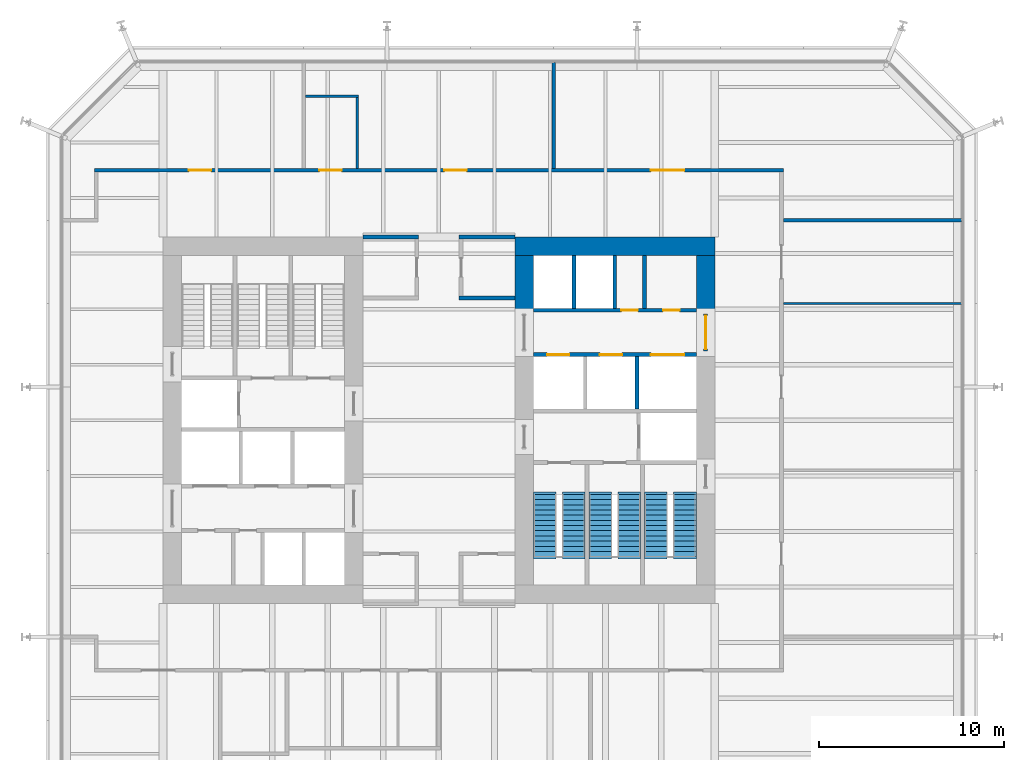
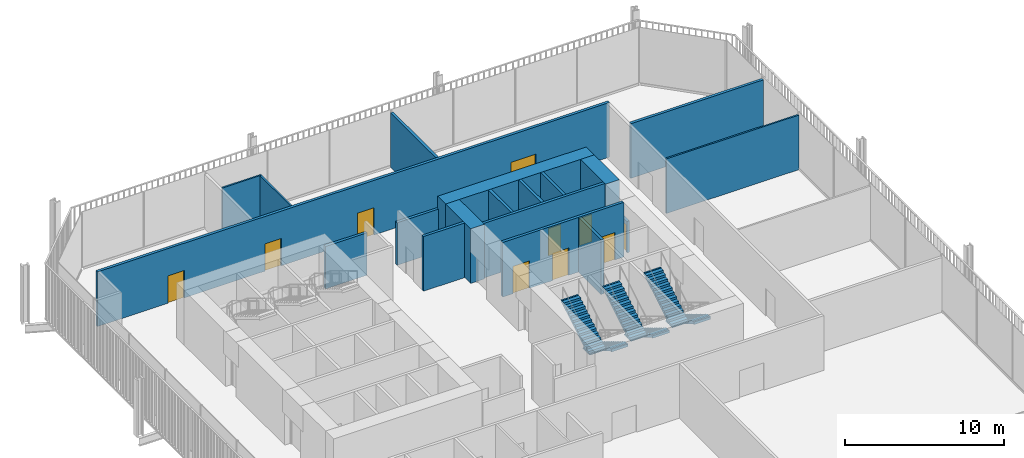
# One storey, part 18 of 20: 19 walls, 10 doors, 6 stair flights, 10 openings, 3 elements without a shape of their own.
"""IFC4 building model written with IfcOpenShell, lengths in metres."""

from ifc_helpers import new_model, si_unit, direction, frame, frame_2d, origin, place, context, subcontext, project, spatial, polyline, rectangle, outline, extrude, material, layer, layer_set, type_object, element, fill, aggregate, save


model = new_model("IFC4")

# Units and contexts
model_context = context("Model", 3, precision=1e-05, world=origin(), true_north=direction((0.0, 1.0)))
body_context = subcontext(model_context, "Body", "Model", "MODEL_VIEW")
ifc_project = project(units=[si_unit("LENGTHUNIT", "METRE"), si_unit("AREAUNIT", "SQUARE_METRE"), si_unit("VOLUMEUNIT", "CUBIC_METRE"), si_unit("PLANEANGLEUNIT", "RADIAN"), si_unit("MASSUNIT", "GRAM", prefix="KILO")], contexts=[model_context])

# Site, building, storey
site_placement = place(None, origin())
site = spatial("IfcSite", under=ifc_project, at=site_placement, CompositionType="ELEMENT")
building_placement = place(site_placement, origin())
building = spatial("IfcBuilding", under=site, at=building_placement, Name="Millrace Tower", CompositionType="ELEMENT")
storey_placement = place(building_placement, frame((0.0, 0.0, 86.39990234375)))
storey = spatial("IfcBuildingStorey", under=building, at=storey_placement, Name="L19", CompositionType="ELEMENT", Elevation=86.39990234375)

# Walls
ifc_material_1 = material(Name="Concrete C80", Category="concrete")
ifc_layer_1 = layer(ifc_material_1, 1.0)
ifc_layer_set_1 = layer_set([ifc_layer_1], Name="Concrete C80")
wall_type_1 = type_object("IfcWallType", Name="Core wall 1000 Concrete C80", PredefinedType="SHEAR", material=ifc_layer_set_1)
wall_1_placement = place(storey_placement, frame((14.89990234375, 9.39990234375, 0.0), z_axis=(0.0, 0.0, 1.0), x_axis=(-1.0, 0.0, 0.0)))
element("IfcWall", 1, at=wall_1_placement, inside=storey, type_object=wall_type_1, Name="Core wall E L19", PredefinedType="SHEAR", context=body_context, shape_type="SweptSolid", body=[
    extrude(rectangle(XDim=10.7998046875, YDim=1.0, at=frame_2d((5.39990234375, 0.0))), origin(), (0.0, 0.0, 1.0), 4.2001953125),
])
for number, where, z_axis, x_axis, name in (
    (2, (14.39990234375, 8.89990234375, 0.0), (0.0, 0.0, 1.0), (0.0, -1.0, 0.0), "Core wall E L19"),
    (3, (4.60009765625, 8.89990234375, 0.0), (0.0, 0.0, 1.0), (0.0, -1.0, 0.0), "Core wall E L19"),
):
    element("IfcWall", number, at=place(storey_placement, frame(where, z_axis=z_axis, x_axis=x_axis)), inside=storey, type_object=wall_type_1, Name=name, PredefinedType="SHEAR", context=body_context, shape_type="SweptSolid", body=[
        extrude(rectangle(XDim=3.14990234375, YDim=1.0, at=frame_2d((1.574951171875, 0.0))), origin(), (0.0, 0.0, 1.0), 4.2001953125),
    ])
ifc_material_2 = material(Name="Masonry partition, fire-rated", Category="masonry")
ifc_layer_2 = layer(ifc_material_2, 0.199951171875)
ifc_layer_set_2 = layer_set([ifc_layer_2], Name="Masonry partition, fire-rated")
wall_type_2 = type_object("IfcWallType", Name="Corridor wall 200", PredefinedType="PARTITIONING", material=ifc_layer_set_2)
wall_2_placement = place(storey_placement, frame((1.10009765625, 6.60009765625, 0.0), z_axis=(0.0, 0.0, 1.0), x_axis=(1.0, 0.0, 0.0)))
element("IfcWall", 4, at=wall_2_placement, inside=storey, type_object=wall_type_2, Name="Corridor wall L19", PredefinedType="PARTITIONING", context=body_context, shape_type="SweptSolid", body=[
    extrude(rectangle(XDim=3.0, YDim=0.199951171875, at=frame_2d((1.5, 0.0))), origin(), (0.0, 0.0, 1.0), 4.2001953125),
])
for number, where, z_axis, x_axis, name in (
    (5, (-4.10009765625, 9.89990234375, 0.0), (0.0, 0.0, 1.0), (1.0, 0.0, 0.0), "Corridor wall L19"),
    (6, (1.10009765625, 9.89990234375, 0.0), (0.0, 0.0, 1.0), (1.0, 0.0, 0.0), "Corridor wall L19"),
):
    element("IfcWall", number, at=place(storey_placement, frame(where, z_axis=z_axis, x_axis=x_axis)), inside=storey, type_object=wall_type_2, Name=name, PredefinedType="PARTITIONING", context=body_context, shape_type="SweptSolid", body=[
        extrude(rectangle(XDim=3.0, YDim=0.199951171875, at=frame_2d((1.5, 0.0))), origin(), (0.0, 0.0, 1.0), 3.2626953125),
    ])
wall_3_placement = place(storey_placement, frame((18.60009765625, 10.800048828125, 0.0), z_axis=(0.0, 0.0, 1.0), x_axis=(1.0, 0.0, 0.0)))
element("IfcWall", 7, at=wall_3_placement, inside=storey, type_object=wall_type_2, Name="Corridor wall L19", PredefinedType="PARTITIONING", context=body_context, shape_type="SweptSolid", body=[
    extrude(rectangle(XDim=9.6298828125, YDim=0.199951171875, at=frame_2d((4.81494140625, 0.0))), origin(), (0.0, 0.0, 1.0), 4.2001953125),
])

# Wall, openings, doors
wall_4_placement = place(storey_placement, frame((-18.60009765625, 13.5, 0.0), z_axis=(0.0, 0.0, 1.0), x_axis=(1.0, 0.0, 0.0)))
wall_4 = element("IfcWall", 8, at=wall_4_placement, inside=storey, type_object=wall_type_2, Name="Corridor wall L19", PredefinedType="PARTITIONING", context=body_context, shape_type="SweptSolid", body=[
    extrude(rectangle(XDim=37.2001953125, YDim=0.199951171875, at=frame_2d((18.60009765625, 0.0))), origin(), (0.0, 0.0, 1.0), 4.2001953125),
])
opening_1_placement = place(wall_4_placement, frame((5.10009765625, 0.0, 0.0)))
opening_1 = element("IfcOpeningElement", 9, at=opening_1_placement, cuts=wall_4, Name="Opening 19-P009", PredefinedType="OPENING", context=body_context, shape_type="SweptSolid", body=[
    extrude(rectangle(XDim=1.199951171875, YDim=2.10009765625, at=frame_2d((0.60009765625, 1.050048828125))), frame((0.0, 0.10986328125, 0.0), z_axis=(0.0, -1.0, 0.0), x_axis=(1.0, 0.0, 0.0)), (0.0, 0.0, 1.0), 0.219970703125),
])
opening_2_placement = place(wall_4_placement, frame((18.89990234375, 0.0, 0.0)))
opening_2 = element("IfcOpeningElement", 10, at=opening_2_placement, cuts=wall_4, Name="Opening 19-P010", PredefinedType="OPENING", context=body_context, shape_type="SweptSolid", body=[
    extrude(rectangle(XDim=1.199951171875, YDim=2.10009765625, at=frame_2d((0.60009765625, 1.050048828125))), frame((0.0, 0.10986328125, 0.0), z_axis=(0.0, -1.0, 0.0), x_axis=(1.0, 0.0, 0.0)), (0.0, 0.0, 1.0), 0.219970703125),
])
opening_3_placement = place(wall_4_placement, frame((12.14990234375, 0.0, 0.0)))
opening_3 = element("IfcOpeningElement", 11, at=opening_3_placement, cuts=wall_4, Name="Opening 19-P011", PredefinedType="OPENING", context=body_context, shape_type="SweptSolid", body=[
    extrude(rectangle(XDim=1.199951171875, YDim=2.10009765625, at=frame_2d((0.60009765625, 1.050048828125))), frame((0.0, 0.10986328125, 0.0), z_axis=(0.0, -1.0, 0.0), x_axis=(1.0, 0.0, 0.0)), (0.0, 0.0, 1.0), 0.219970703125),
])
opening_4_placement = place(wall_4_placement, frame((30.050048828125, 0.0, 0.0)))
opening_4 = element("IfcOpeningElement", 12, at=opening_4_placement, cuts=wall_4, Name="Opening 19-P012", PredefinedType="OPENING", context=body_context, shape_type="SweptSolid", body=[
    extrude(rectangle(XDim=1.800048828125, YDim=2.10009765625, at=frame_2d((0.89990234375, 1.050048828125))), frame((0.0, 0.10986328125, 0.0), z_axis=(0.0, -1.0, 0.0), x_axis=(1.0, 0.0, 0.0)), (0.0, 0.0, 1.0), 0.219970703125),
])
ifc_material_3 = material(Name="Steel door set, fire-rated", Category="steel")
door_type_1 = type_object("IfcDoorType", Name="Corridor door 1200 x 2100", OperationType="SINGLE_SWING_LEFT", PredefinedType="DOOR", material=ifc_material_3)
door_1_placement = place(opening_2_placement, origin())
door_1 = element("IfcDoor", 13, at=door_1_placement, inside=storey, type_object=door_type_1, Name="Door 19-P010", OperationType="SINGLE_SWING_RIGHT", OverallHeight=2.10009765625, OverallWidth=1.199951171875, PredefinedType="DOOR", context=body_context, shape_type="SweptSolid", body=[
    extrude(rectangle(XDim=1.199951171875, YDim=2.10009765625, at=frame_2d((0.60009765625, 1.050048828125))), frame((0.0, 0.02490234375, 0.0), z_axis=(0.0, -1.0, 0.0), x_axis=(1.0, 0.0, 0.0)), (0.0, 0.0, 1.0), 0.050048828125),
])
fill(opening_2, door_1)
door_2_placement = place(opening_3_placement, origin())
door_2 = element("IfcDoor", 14, at=door_2_placement, inside=storey, type_object=door_type_1, Name="Door 19-P011", OperationType="SINGLE_SWING_LEFT", OverallHeight=2.10009765625, OverallWidth=1.199951171875, PredefinedType="DOOR", context=body_context, shape_type="SweptSolid", body=[
    extrude(rectangle(XDim=1.199951171875, YDim=2.10009765625, at=frame_2d((0.60009765625, 1.050048828125))), frame((0.0, 0.02490234375, 0.0), z_axis=(0.0, -1.0, 0.0), x_axis=(1.0, 0.0, 0.0)), (0.0, 0.0, 1.0), 0.050048828125),
])
fill(opening_3, door_2)
ifc_material_4 = material(Name="Steel door set, fire-rated", Category="steel")
door_type_2 = type_object("IfcDoorType", Name="Data hall door 1200 x 2100", OperationType="SINGLE_SWING_LEFT", PredefinedType="DOOR", material=ifc_material_4)
door_3_placement = place(opening_1_placement, origin())
door_3 = element("IfcDoor", 15, at=door_3_placement, inside=storey, type_object=door_type_2, Name="Door 19-P009", OperationType="SINGLE_SWING_LEFT", OverallHeight=2.10009765625, OverallWidth=1.199951171875, PredefinedType="DOOR", context=body_context, shape_type="SweptSolid", body=[
    extrude(rectangle(XDim=1.199951171875, YDim=2.10009765625, at=frame_2d((0.60009765625, 1.050048828125))), frame((0.0, 0.02490234375, 0.0), z_axis=(0.0, -1.0, 0.0), x_axis=(1.0, 0.0, 0.0)), (0.0, 0.0, 1.0), 0.050048828125),
])
fill(opening_1, door_3)
ifc_material_5 = material(Name="Steel door set, fire-rated", Category="steel")
door_type_3 = type_object("IfcDoorType", Name="Data hall door 1800 x 2100", OperationType="DOUBLE_DOOR_SINGLE_SWING", PredefinedType="DOOR", material=ifc_material_5)
door_4_placement = place(opening_4_placement, origin())
door_4 = element("IfcDoor", 16, at=door_4_placement, inside=storey, type_object=door_type_3, Name="Door 19-P012", OperationType="DOUBLE_DOOR_SINGLE_SWING", OverallHeight=2.10009765625, OverallWidth=1.800048828125, PredefinedType="DOOR", context=body_context, shape_type="SweptSolid", body=[
    extrude(rectangle(XDim=1.800048828125, YDim=2.10009765625, at=frame_2d((0.89990234375, 1.050048828125))), frame((0.0, 0.02490234375, 0.0), z_axis=(0.0, -1.0, 0.0), x_axis=(1.0, 0.0, 0.0)), (0.0, 0.0, 1.0), 0.050048828125),
])
fill(opening_4, door_4)

# Wall
wall_5_placement = place(storey_placement, frame((6.199951171875, 13.60009765625, 0.0), z_axis=(0.0, 0.0, 1.0), x_axis=(0.0, 1.0, 0.0)))
element("IfcWall", 17, at=wall_5_placement, inside=storey, type_object=wall_type_2, Name="Corridor wall L19", PredefinedType="PARTITIONING", context=body_context, shape_type="SweptSolid", body=[
    extrude(rectangle(XDim=5.72998046875, YDim=0.199951171875, at=frame_2d((2.864990234375, 0.0))), origin(), (0.0, 0.0, 1.0), 4.2001953125),
])

# Wall, openings, doors
ifc_material_6 = material(Name="Masonry partition, fire-rated", Category="masonry")
ifc_layer_3 = layer(ifc_material_6, 0.199951171875)
ifc_layer_set_3 = layer_set([ifc_layer_3], Name="Masonry partition, fire-rated")
wall_type_3 = type_object("IfcWallType", Name="Lift shaft wall 200", PredefinedType="PARTITIONING", material=ifc_layer_set_3)
wall_6_placement = place(storey_placement, frame((13.89990234375, 5.949951171875, 0.0), z_axis=(0.0, 0.0, 1.0), x_axis=(-1.0, 0.0, 0.0)))
wall_6 = element("IfcWall", 18, at=wall_6_placement, inside=storey, type_object=wall_type_3, Name="Lift shaft wall E L19", PredefinedType="PARTITIONING", context=body_context, shape_type="SweptSolid", body=[
    extrude(rectangle(XDim=8.7998046875, YDim=0.199951171875, at=frame_2d((4.39990234375, 0.0))), origin(), (0.0, 0.0, 1.0), 4.2001953125),
])
opening_5_placement = place(wall_6_placement, frame((0.8974609375, 0.0, 0.0)))
opening_5 = element("IfcOpeningElement", 19, at=opening_5_placement, cuts=wall_6, Name="Opening 19-C013", PredefinedType="OPENING", context=body_context, shape_type="SweptSolid", body=[
    extrude(rectangle(XDim=0.89990234375, YDim=2.10009765625, at=frame_2d((0.449951171875, 1.050048828125))), frame((0.0, 0.10986328125, 0.0), z_axis=(0.0, -1.0, 0.0), x_axis=(1.0, 0.0, 0.0)), (0.0, 0.0, 1.0), 0.219970703125),
])
opening_6_placement = place(wall_6_placement, frame((3.1474609375, 0.0, 0.0)))
opening_6 = element("IfcOpeningElement", 20, at=opening_6_placement, cuts=wall_6, Name="Opening 19-C014", PredefinedType="OPENING", context=body_context, shape_type="SweptSolid", body=[
    extrude(rectangle(XDim=0.89990234375, YDim=2.10009765625, at=frame_2d((0.449951171875, 1.050048828125))), frame((0.0, 0.10986328125, 0.0), z_axis=(0.0, -1.0, 0.0), x_axis=(1.0, 0.0, 0.0)), (0.0, 0.0, 1.0), 0.219970703125),
])
ifc_material_7 = material(Name="Steel door, fire-rated", Category="steel")
door_type_4 = type_object("IfcDoorType", Name="Service room door 900 x 2100", OperationType="SINGLE_SWING_LEFT", PredefinedType="DOOR", material=ifc_material_7)
door_5_placement = place(opening_5_placement, frame((0.89990234375, 0.0, 0.0), z_axis=(0.0, 0.0, 1.0), x_axis=(-1.0, 0.0, 0.0)))
door_5 = element("IfcDoor", 21, at=door_5_placement, inside=storey, type_object=door_type_4, Name="Service room door 19-C013", OperationType="SINGLE_SWING_RIGHT", OverallHeight=2.10009765625, OverallWidth=0.89990234375, PredefinedType="DOOR", context=body_context, shape_type="SweptSolid", body=[
    extrude(rectangle(XDim=0.89990234375, YDim=2.10009765625, at=frame_2d((0.449951171875, 1.050048828125))), frame((0.0, 0.02490234375, 0.0), z_axis=(0.0, -1.0, 0.0), x_axis=(1.0, 0.0, 0.0)), (0.0, 0.0, 1.0), 0.050048828125),
])
fill(opening_5, door_5)
door_6_placement = place(opening_6_placement, frame((0.89990234375, 0.0, 0.0), z_axis=(0.0, 0.0, 1.0), x_axis=(-1.0, 0.0, 0.0)))
door_6 = element("IfcDoor", 22, at=door_6_placement, inside=storey, type_object=door_type_4, Name="Service room door 19-C014", OperationType="SINGLE_SWING_RIGHT", OverallHeight=2.10009765625, OverallWidth=0.89990234375, PredefinedType="DOOR", context=body_context, shape_type="SweptSolid", body=[
    extrude(rectangle(XDim=0.89990234375, YDim=2.10009765625, at=frame_2d((0.449951171875, 1.050048828125))), frame((0.0, 0.02490234375, 0.0), z_axis=(0.0, -1.0, 0.0), x_axis=(1.0, 0.0, 0.0)), (0.0, 0.0, 1.0), 0.050048828125),
])
fill(opening_6, door_6)

wall_7_placement = place(storey_placement, frame((13.89990234375, 3.550048828125, 0.0), z_axis=(0.0, 0.0, 1.0), x_axis=(-1.0, 0.0, 0.0)))
wall_7 = element("IfcWall", 23, at=wall_7_placement, inside=storey, type_object=wall_type_3, Name="Lift shaft wall E L19", PredefinedType="PARTITIONING", context=body_context, shape_type="SweptSolid", body=[
    extrude(rectangle(XDim=8.7998046875, YDim=0.199951171875, at=frame_2d((4.39990234375, 0.0))), origin(), (0.0, 0.0, 1.0), 4.2001953125),
])
opening_7_placement = place(wall_7_placement, frame((0.64990234375, 0.0, 0.0)))
opening_7 = element("IfcOpeningElement", 24, at=opening_7_placement, cuts=wall_7, Name="Opening 19-LD13", PredefinedType="OPENING", context=body_context, shape_type="SweptSolid", body=[
    extrude(rectangle(XDim=1.800048828125, YDim=2.10009765625, at=frame_2d((0.89990234375, 1.050048828125))), frame((0.0, 0.10986328125, 0.0), z_axis=(0.0, -1.0, 0.0), x_axis=(1.0, 0.0, 0.0)), (0.0, 0.0, 1.0), 0.219970703125),
])
opening_8_placement = place(wall_7_placement, frame((4.0, 0.0, 0.0)))
opening_8 = element("IfcOpeningElement", 25, at=opening_8_placement, cuts=wall_7, Name="Opening 19-LD14", PredefinedType="OPENING", context=body_context, shape_type="SweptSolid", body=[
    extrude(rectangle(XDim=1.199951171875, YDim=2.10009765625, at=frame_2d((0.60009765625, 1.050048828125))), frame((0.0, 0.10986328125, 0.0), z_axis=(0.0, -1.0, 0.0), x_axis=(1.0, 0.0, 0.0)), (0.0, 0.0, 1.0), 0.219970703125),
])
opening_9_placement = place(wall_7_placement, frame((6.85009765625, 0.0, 0.0)))
opening_9 = element("IfcOpeningElement", 26, at=opening_9_placement, cuts=wall_7, Name="Opening 19-LD15", PredefinedType="OPENING", context=body_context, shape_type="SweptSolid", body=[
    extrude(rectangle(XDim=1.199951171875, YDim=2.10009765625, at=frame_2d((0.60009765625, 1.050048828125))), frame((0.0, 0.10986328125, 0.0), z_axis=(0.0, -1.0, 0.0), x_axis=(1.0, 0.0, 0.0)), (0.0, 0.0, 1.0), 0.219970703125),
])
ifc_material_8 = material(Name="Stainless steel, fire-rated", Category="steel")
door_type_5 = type_object("IfcDoorType", Name="Lift landing door 1200 x 2100", OperationType="DOUBLE_DOOR_SLIDING", PredefinedType="DOOR", material=ifc_material_8)
door_7_placement = place(opening_8_placement, origin())
door_7 = element("IfcDoor", 27, at=door_7_placement, inside=storey, type_object=door_type_5, Name="Lift landing door LF14 L19", OperationType="DOUBLE_DOOR_SLIDING", OverallHeight=2.10009765625, OverallWidth=1.199951171875, PredefinedType="DOOR", context=body_context, shape_type="SweptSolid", body=[
    extrude(rectangle(XDim=1.199951171875, YDim=2.10009765625, at=frame_2d((0.60009765625, 1.050048828125))), frame((0.0, 0.02490234375, 0.0), z_axis=(0.0, -1.0, 0.0), x_axis=(1.0, 0.0, 0.0)), (0.0, 0.0, 1.0), 0.050048828125),
])
fill(opening_8, door_7)
door_8_placement = place(opening_9_placement, origin())
door_8 = element("IfcDoor", 28, at=door_8_placement, inside=storey, type_object=door_type_5, Name="Lift landing door LF15 L19", OperationType="DOUBLE_DOOR_SLIDING", OverallHeight=2.10009765625, OverallWidth=1.199951171875, PredefinedType="DOOR", context=body_context, shape_type="SweptSolid", body=[
    extrude(rectangle(XDim=1.199951171875, YDim=2.10009765625, at=frame_2d((0.60009765625, 1.050048828125))), frame((0.0, 0.02490234375, 0.0), z_axis=(0.0, -1.0, 0.0), x_axis=(1.0, 0.0, 0.0)), (0.0, 0.0, 1.0), 0.050048828125),
])
fill(opening_9, door_8)
ifc_material_9 = material(Name="Stainless steel, fire-rated", Category="steel")
door_type_6 = type_object("IfcDoorType", Name="Lift landing door 1800 x 2100", OperationType="DOUBLE_DOOR_SLIDING", PredefinedType="DOOR", material=ifc_material_9)
door_9_placement = place(opening_7_placement, origin())
door_9 = element("IfcDoor", 29, at=door_9_placement, inside=storey, type_object=door_type_6, Name="Lift landing door LF13 L19", OperationType="DOUBLE_DOOR_SLIDING", OverallHeight=2.10009765625, OverallWidth=1.800048828125, PredefinedType="DOOR", context=body_context, shape_type="SweptSolid", body=[
    extrude(rectangle(XDim=1.800048828125, YDim=2.10009765625, at=frame_2d((0.89990234375, 1.050048828125))), frame((0.0, 0.02490234375, 0.0), z_axis=(0.0, -1.0, 0.0), x_axis=(1.0, 0.0, 0.0)), (0.0, 0.0, 1.0), 0.050048828125),
])
fill(opening_7, door_9)

# Walls
for number, where, z_axis, x_axis, name in (
    (30, (9.5, 8.89990234375, 0.0), (0.0, 0.0, 1.0), (0.0, -1.0, 0.0), "Lift shaft wall E L19"),
    (31, (7.300048828125, 8.89990234375, 0.0), (0.0, 0.0, 1.0), (0.0, -1.0, 0.0), "Lift shaft wall E L19"),
    (32, (10.699951171875, 3.449951171875, 0.0), (0.0, 0.0, 1.0), (0.0, -1.0, 0.0), "Lift shaft wall E L19"),
):
    element("IfcWall", number, at=place(storey_placement, frame(where, z_axis=z_axis, x_axis=x_axis)), inside=storey, type_object=wall_type_3, Name=name, PredefinedType="PARTITIONING", context=body_context, shape_type="SweptSolid", body=[
        extrude(rectangle(XDim=2.849853515625, YDim=0.199951171875, at=frame_2d((1.4248046875, 0.0))), origin(), (0.0, 0.0, 1.0), 4.2001953125),
    ])

# Wall, opening, door
ifc_material_10 = material(Name="Masonry partition, fire-rated", Category="masonry")
ifc_layer_4 = layer(ifc_material_10, 0.199951171875)
ifc_layer_set_4 = layer_set([ifc_layer_4], Name="Masonry partition, fire-rated")
wall_type_4 = type_object("IfcWallType", Name="Lobby wall 200", PredefinedType="PARTITIONING", material=ifc_layer_set_4)
wall_8_placement = place(storey_placement, frame((14.39990234375, 5.75, 0.0), z_axis=(0.0, 0.0, 1.0), x_axis=(0.0, -1.0, 0.0)))
wall_8 = element("IfcWall", 33, at=wall_8_placement, inside=storey, type_object=wall_type_4, Name="Lobby wall E L19", PredefinedType="PARTITIONING", context=body_context, shape_type="SweptSolid", body=[
    extrude(rectangle(XDim=2.0, YDim=0.199951171875, at=frame_2d((1.0, 0.0))), origin(), (0.0, 0.0, 1.0), 2.400146484375),
])
opening_10_placement = place(wall_8_placement, frame((0.10009765625, 0.0, 0.0)))
opening_10 = element("IfcOpeningElement", 34, at=opening_10_placement, cuts=wall_8, Name="Opening 19-C009", PredefinedType="OPENING", context=body_context, shape_type="SweptSolid", body=[
    extrude(rectangle(XDim=1.800048828125, YDim=2.10009765625, at=frame_2d((0.89990234375, 1.050048828125))), frame((0.0, 0.10986328125, 0.0), z_axis=(0.0, -1.0, 0.0), x_axis=(1.0, 0.0, 0.0)), (0.0, 0.0, 1.0), 0.219970703125),
])
ifc_material_11 = material(Name="Steel door, fire-rated", Category="steel")
door_type_7 = type_object("IfcDoorType", Name="Lobby door 1800 x 2100", OperationType="DOUBLE_DOOR_SINGLE_SWING", PredefinedType="DOOR", material=ifc_material_11)
door_10_placement = place(opening_10_placement, origin())
door_10 = element("IfcDoor", 35, at=door_10_placement, inside=storey, type_object=door_type_7, Name="Lobby door 19-C009", OperationType="DOUBLE_DOOR_SINGLE_SWING", OverallHeight=2.10009765625, OverallWidth=1.800048828125, PredefinedType="DOOR", context=body_context, shape_type="SweptSolid", body=[
    extrude(rectangle(XDim=1.800048828125, YDim=2.10009765625, at=frame_2d((0.89990234375, 1.050048828125))), frame((0.0, 0.02490234375, 0.0), z_axis=(0.0, -1.0, 0.0), x_axis=(1.0, 0.0, 0.0)), (0.0, 0.0, 1.0), 0.050048828125),
])
fill(opening_10, door_10)

# Walls
ifc_material_12 = material(Name="Gypsum board partition")
ifc_layer_5 = layer(ifc_material_12, 0.1201171875)
ifc_layer_set_5 = layer_set([ifc_layer_5], Name="Gypsum board partition")
wall_type_5 = type_object("IfcWallType", Name="Partition wall 120", PredefinedType="PARTITIONING", material=ifc_layer_set_5)
wall_9_placement = place(storey_placement, frame((18.60009765625, 6.300048828125, 0.0), z_axis=(0.0, 0.0, 1.0), x_axis=(1.0, 0.0, 0.0)))
element("IfcWall", 36, at=wall_9_placement, inside=storey, type_object=wall_type_5, Name="Partition wall L19", PredefinedType="PARTITIONING", context=body_context, shape_type="SweptSolid", body=[
    extrude(rectangle(XDim=9.6298828125, YDim=0.1201171875, at=frame_2d((4.81494140625, 0.0))), origin(), (0.0, 0.0, 1.0), 4.2001953125),
])
wall_10_placement = place(storey_placement, frame((-7.199951171875, 17.5, 0.0), z_axis=(0.0, 0.0, 1.0), x_axis=(1.0, 0.0, 0.0)))
element("IfcWall", 37, at=wall_10_placement, inside=storey, type_object=wall_type_5, Name="Partition wall L19", PredefinedType="PARTITIONING", context=body_context, shape_type="SweptSolid", body=[
    extrude(rectangle(XDim=2.85986328125, YDim=0.1201171875, at=frame_2d((1.429931640625, 0.0))), origin(), (0.0, 0.0, 1.0), 4.2001953125),
])
wall_11_placement = place(storey_placement, frame((-4.39990234375, 13.60009765625, 0.0), z_axis=(0.0, 0.0, 1.0), x_axis=(0.0, 1.0, 0.0)))
element("IfcWall", 38, at=wall_11_placement, inside=storey, type_object=wall_type_5, Name="Partition wall L19", PredefinedType="PARTITIONING", context=body_context, shape_type="SweptSolid", body=[
    extrude(rectangle(XDim=3.83984375, YDim=0.1201171875, at=frame_2d((1.919921875, 0.0))), origin(), (0.0, 0.0, 1.0), 4.2001953125),
])
ifc_material_13 = material(Name="Masonry partition, fire-rated", Category="masonry")
ifc_layer_6 = layer(ifc_material_13, 0.199951171875)
ifc_layer_set_6 = layer_set([ifc_layer_6], Name="Masonry partition, fire-rated")
wall_type_6 = type_object("IfcWallType", Name="Room partition 200", PredefinedType="PARTITIONING", material=ifc_layer_set_6)
wall_12_placement = place(storey_placement, frame((11.10498046875, 8.89990234375, 0.0), z_axis=(0.0, 0.0, 1.0), x_axis=(0.0, -1.0, 0.0)))
element("IfcWall", 39, at=wall_12_placement, inside=storey, type_object=wall_type_6, Name="Room partition E L19", PredefinedType="PARTITIONING", context=body_context, shape_type="SweptSolid", body=[
    extrude(rectangle(XDim=2.849853515625, YDim=0.199951171875, at=frame_2d((1.4248046875, 0.0))), origin(), (0.0, 0.0, 1.0), 4.2001953125),
])

# Stair, stair flights
ifc_material_14 = material(Name="Concrete C35", Category="concrete")
stair_type = type_object("IfcStairType", Name="Exit stair", PredefinedType="HALF_TURN_STAIR", material=ifc_material_14)
placement = place(storey_placement, origin())
stair_1 = element("IfcStair", 40, at=placement, inside=storey, type_object=stair_type, Name="Stair 1 E L19", PredefinedType="HALF_TURN_STAIR")
ifc_material_15 = material(Name="Concrete C35", Category="concrete")
stair_flight_type = type_object("IfcStairFlightType", Name="Exit stair flight", PredefinedType="STRAIGHT", material=ifc_material_15)
stair_flight_1_placement = place(storey_placement, frame((13.2900390625, -4.0, 0.0), z_axis=(0.0, 0.0, 1.0), x_axis=(0.0, -1.0, 0.0)))
stair_flight_1 = element("IfcStairFlight", 41, at=stair_flight_1_placement, type_object=stair_flight_type, Name="ST12 flight 1", NumberOfRisers=13, NumberOfTreads=12, PredefinedType="STRAIGHT", RiserHeight=0.169230769, TreadLength=0.28, context=body_context, shape_type="SweptSolid", body=[
    extrude(outline(polyline([(-0.1201171875, -0.0400390625), (-0.1201171875, 0.0), (0.0, 0.0), (0.0, 0.169189453125), (0.280029296875, 0.169189453125), (0.280029296875, 0.33837890625), (0.56005859375, 0.33837890625), (0.56005859375, 0.5078125), (0.840087890625, 0.5078125), (0.840087890625, 0.677001953125), (1.1201171875, 0.677001953125), (1.1201171875, 0.84619140625), (1.39990234375, 0.84619140625), (1.39990234375, 1.015380859375), (1.679931640625, 1.015380859375), (1.679931640625, 1.1845703125), (1.9599609375, 1.1845703125), (1.9599609375, 1.353759765625), (2.239990234375, 1.353759765625), (2.239990234375, 1.523193359375), (2.52001953125, 1.523193359375), (2.52001953125, 1.6923828125), (2.800048828125, 1.6923828125), (2.800048828125, 1.861572265625), (3.080078125, 1.861572265625), (3.080078125, 2.03076171875), (3.360107421875, 2.03076171875), (3.360107421875, 2.05078125), (3.47998046875, 2.05078125), (3.47998046875, 1.855712890625), (3.360107421875, 1.855712890625), (0.289794921875, 0.0), (0.289794921875, -0.0400390625), (-0.1201171875, -0.0400390625)])), frame((0.0, 0.60986328125, 0.0), z_axis=(0.0, -1.0, 0.0), x_axis=(1.0, 0.0, 0.0)), (0.0, 0.0, 1.0), 1.219970703125),
])
stair_flight_2_placement = place(storey_placement, frame((11.7099609375, -7.360107421875, 2.2001953125), z_axis=(0.0, 0.0, 1.0), x_axis=(0.0, 1.0, 0.0)))
stair_flight_2 = element("IfcStairFlight", 42, at=stair_flight_2_placement, type_object=stair_flight_type, Name="ST12 flight 2", NumberOfRisers=13, NumberOfTreads=12, PredefinedType="STRAIGHT", RiserHeight=0.169230769, TreadLength=0.28, context=body_context, shape_type="SweptSolid", body=[
    extrude(outline(polyline([(-0.1201171875, -0.0400390625), (-0.1201171875, 0.0), (0.0, 0.0), (0.0, 0.169189453125), (0.280029296875, 0.169189453125), (0.280029296875, 0.33837890625), (0.56005859375, 0.33837890625), (0.56005859375, 0.5078125), (0.840087890625, 0.5078125), (0.840087890625, 0.677001953125), (1.1201171875, 0.677001953125), (1.1201171875, 0.84619140625), (1.39990234375, 0.84619140625), (1.39990234375, 1.015380859375), (1.679931640625, 1.015380859375), (1.679931640625, 1.1845703125), (1.9599609375, 1.1845703125), (1.9599609375, 1.353759765625), (2.239990234375, 1.353759765625), (2.239990234375, 1.523193359375), (2.52001953125, 1.523193359375), (2.52001953125, 1.6923828125), (2.800048828125, 1.6923828125), (2.800048828125, 1.861572265625), (3.080078125, 1.861572265625), (3.080078125, 2.03076171875), (3.360107421875, 2.03076171875), (3.360107421875, 2.05078125), (3.47998046875, 2.05078125), (3.47998046875, 1.855712890625), (3.360107421875, 1.855712890625), (0.289794921875, 0.0), (0.289794921875, -0.0400390625), (-0.1201171875, -0.0400390625)])), frame((0.0, 0.60986328125, 0.0), z_axis=(0.0, -1.0, 0.0), x_axis=(1.0, 0.0, 0.0)), (0.0, 0.0, 1.0), 1.219970703125),
])
aggregate(stair_1, [stair_flight_1, stair_flight_2])

stair_2 = element("IfcStair", 43, at=placement, inside=storey, type_object=stair_type, Name="Stair 2 E L19", PredefinedType="HALF_TURN_STAIR")
stair_flight_3_placement = place(storey_placement, frame((10.2900390625, -4.0, 0.0), z_axis=(0.0, 0.0, 1.0), x_axis=(0.0, -1.0, 0.0)))
stair_flight_3 = element("IfcStairFlight", 44, at=stair_flight_3_placement, type_object=stair_flight_type, Name="ST12 flight 1", NumberOfRisers=13, NumberOfTreads=12, PredefinedType="STRAIGHT", RiserHeight=0.169230769, TreadLength=0.28, context=body_context, shape_type="SweptSolid", body=[
    extrude(outline(polyline([(-0.1201171875, -0.0400390625), (-0.1201171875, 0.0), (0.0, 0.0), (0.0, 0.169189453125), (0.280029296875, 0.169189453125), (0.280029296875, 0.33837890625), (0.56005859375, 0.33837890625), (0.56005859375, 0.5078125), (0.840087890625, 0.5078125), (0.840087890625, 0.677001953125), (1.1201171875, 0.677001953125), (1.1201171875, 0.84619140625), (1.39990234375, 0.84619140625), (1.39990234375, 1.015380859375), (1.679931640625, 1.015380859375), (1.679931640625, 1.1845703125), (1.9599609375, 1.1845703125), (1.9599609375, 1.353759765625), (2.239990234375, 1.353759765625), (2.239990234375, 1.523193359375), (2.52001953125, 1.523193359375), (2.52001953125, 1.6923828125), (2.800048828125, 1.6923828125), (2.800048828125, 1.861572265625), (3.080078125, 1.861572265625), (3.080078125, 2.03076171875), (3.360107421875, 2.03076171875), (3.360107421875, 2.05078125), (3.47998046875, 2.05078125), (3.47998046875, 1.855712890625), (3.360107421875, 1.855712890625), (0.289794921875, 0.0), (0.289794921875, -0.0400390625), (-0.1201171875, -0.0400390625)])), frame((0.0, 0.60986328125, 0.0), z_axis=(0.0, -1.0, 0.0), x_axis=(1.0, 0.0, 0.0)), (0.0, 0.0, 1.0), 1.219970703125),
])
stair_flight_4_placement = place(storey_placement, frame((8.7099609375, -7.360107421875, 2.2001953125), z_axis=(0.0, 0.0, 1.0), x_axis=(0.0, 1.0, 0.0)))
stair_flight_4 = element("IfcStairFlight", 45, at=stair_flight_4_placement, type_object=stair_flight_type, Name="ST12 flight 2", NumberOfRisers=13, NumberOfTreads=12, PredefinedType="STRAIGHT", RiserHeight=0.169230769, TreadLength=0.28, context=body_context, shape_type="SweptSolid", body=[
    extrude(outline(polyline([(-0.1201171875, -0.0400390625), (-0.1201171875, 0.0), (0.0, 0.0), (0.0, 0.169189453125), (0.280029296875, 0.169189453125), (0.280029296875, 0.33837890625), (0.56005859375, 0.33837890625), (0.56005859375, 0.5078125), (0.840087890625, 0.5078125), (0.840087890625, 0.677001953125), (1.1201171875, 0.677001953125), (1.1201171875, 0.84619140625), (1.39990234375, 0.84619140625), (1.39990234375, 1.015380859375), (1.679931640625, 1.015380859375), (1.679931640625, 1.1845703125), (1.9599609375, 1.1845703125), (1.9599609375, 1.353759765625), (2.239990234375, 1.353759765625), (2.239990234375, 1.523193359375), (2.52001953125, 1.523193359375), (2.52001953125, 1.6923828125), (2.800048828125, 1.6923828125), (2.800048828125, 1.861572265625), (3.080078125, 1.861572265625), (3.080078125, 2.03076171875), (3.360107421875, 2.03076171875), (3.360107421875, 2.05078125), (3.47998046875, 2.05078125), (3.47998046875, 1.855712890625), (3.360107421875, 1.855712890625), (0.289794921875, 0.0), (0.289794921875, -0.0400390625), (-0.1201171875, -0.0400390625)])), frame((0.0, 0.60986328125, 0.0), z_axis=(0.0, -1.0, 0.0), x_axis=(1.0, 0.0, 0.0)), (0.0, 0.0, 1.0), 1.219970703125),
])
aggregate(stair_2, [stair_flight_3, stair_flight_4])

stair_3 = element("IfcStair", 46, at=placement, inside=storey, type_object=stair_type, Name="Stair 3 E L19", PredefinedType="HALF_TURN_STAIR")
stair_flight_5_placement = place(storey_placement, frame((7.2900390625, -4.0, 0.0), z_axis=(0.0, 0.0, 1.0), x_axis=(0.0, -1.0, 0.0)))
stair_flight_5 = element("IfcStairFlight", 47, at=stair_flight_5_placement, type_object=stair_flight_type, Name="ST12 flight 1", NumberOfRisers=13, NumberOfTreads=12, PredefinedType="STRAIGHT", RiserHeight=0.169230769, TreadLength=0.28, context=body_context, shape_type="SweptSolid", body=[
    extrude(outline(polyline([(-0.1201171875, -0.0400390625), (-0.1201171875, 0.0), (0.0, 0.0), (0.0, 0.169189453125), (0.280029296875, 0.169189453125), (0.280029296875, 0.33837890625), (0.56005859375, 0.33837890625), (0.56005859375, 0.5078125), (0.840087890625, 0.5078125), (0.840087890625, 0.677001953125), (1.1201171875, 0.677001953125), (1.1201171875, 0.84619140625), (1.39990234375, 0.84619140625), (1.39990234375, 1.015380859375), (1.679931640625, 1.015380859375), (1.679931640625, 1.1845703125), (1.9599609375, 1.1845703125), (1.9599609375, 1.353759765625), (2.239990234375, 1.353759765625), (2.239990234375, 1.523193359375), (2.52001953125, 1.523193359375), (2.52001953125, 1.6923828125), (2.800048828125, 1.6923828125), (2.800048828125, 1.861572265625), (3.080078125, 1.861572265625), (3.080078125, 2.03076171875), (3.360107421875, 2.03076171875), (3.360107421875, 2.05078125), (3.47998046875, 2.05078125), (3.47998046875, 1.855712890625), (3.360107421875, 1.855712890625), (0.289794921875, 0.0), (0.289794921875, -0.0400390625), (-0.1201171875, -0.0400390625)])), frame((0.0, 0.60986328125, 0.0), z_axis=(0.0, -1.0, 0.0), x_axis=(1.0, 0.0, 0.0)), (0.0, 0.0, 1.0), 1.219970703125),
])
stair_flight_6_placement = place(storey_placement, frame((5.7099609375, -7.360107421875, 2.2001953125), z_axis=(0.0, 0.0, 1.0), x_axis=(0.0, 1.0, 0.0)))
stair_flight_6 = element("IfcStairFlight", 48, at=stair_flight_6_placement, type_object=stair_flight_type, Name="ST12 flight 2", NumberOfRisers=13, NumberOfTreads=12, PredefinedType="STRAIGHT", RiserHeight=0.169230769, TreadLength=0.28, context=body_context, shape_type="SweptSolid", body=[
    extrude(outline(polyline([(-0.1201171875, -0.0400390625), (-0.1201171875, 0.0), (0.0, 0.0), (0.0, 0.169189453125), (0.280029296875, 0.169189453125), (0.280029296875, 0.33837890625), (0.56005859375, 0.33837890625), (0.56005859375, 0.5078125), (0.840087890625, 0.5078125), (0.840087890625, 0.677001953125), (1.1201171875, 0.677001953125), (1.1201171875, 0.84619140625), (1.39990234375, 0.84619140625), (1.39990234375, 1.015380859375), (1.679931640625, 1.015380859375), (1.679931640625, 1.1845703125), (1.9599609375, 1.1845703125), (1.9599609375, 1.353759765625), (2.239990234375, 1.353759765625), (2.239990234375, 1.523193359375), (2.52001953125, 1.523193359375), (2.52001953125, 1.6923828125), (2.800048828125, 1.6923828125), (2.800048828125, 1.861572265625), (3.080078125, 1.861572265625), (3.080078125, 2.03076171875), (3.360107421875, 2.03076171875), (3.360107421875, 2.05078125), (3.47998046875, 2.05078125), (3.47998046875, 1.855712890625), (3.360107421875, 1.855712890625), (0.289794921875, 0.0), (0.289794921875, -0.0400390625), (-0.1201171875, -0.0400390625)])), frame((0.0, 0.60986328125, 0.0), z_axis=(0.0, -1.0, 0.0), x_axis=(1.0, 0.0, 0.0)), (0.0, 0.0, 1.0), 1.219970703125),
])
aggregate(stair_3, [stair_flight_5, stair_flight_6])

save(model, "model.ifc")
